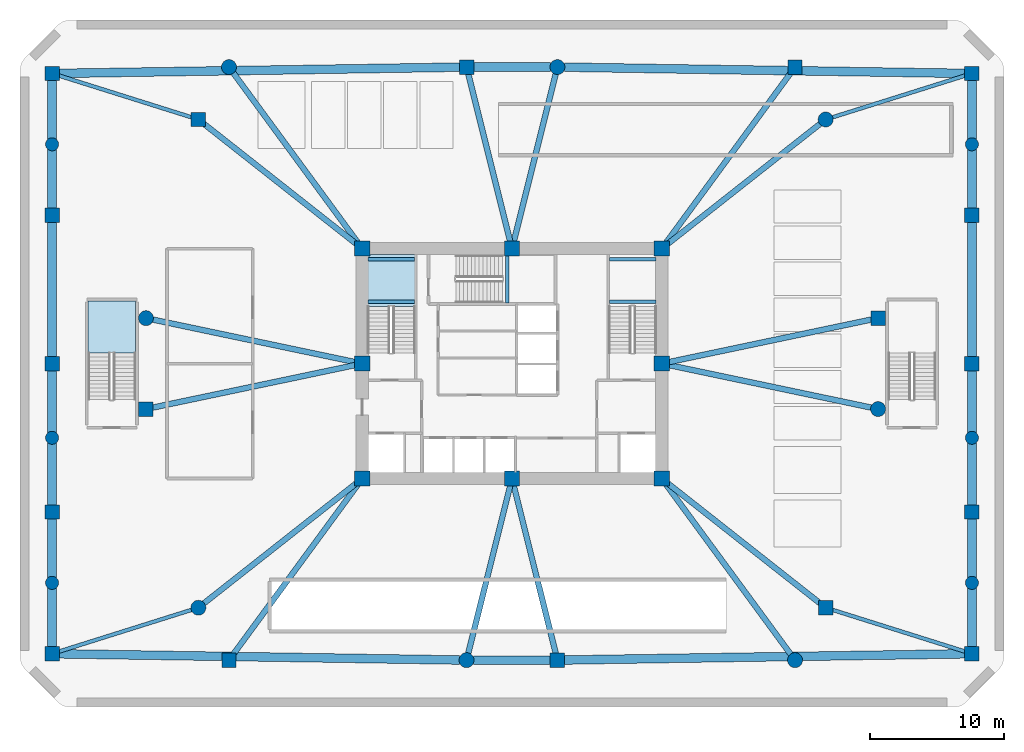
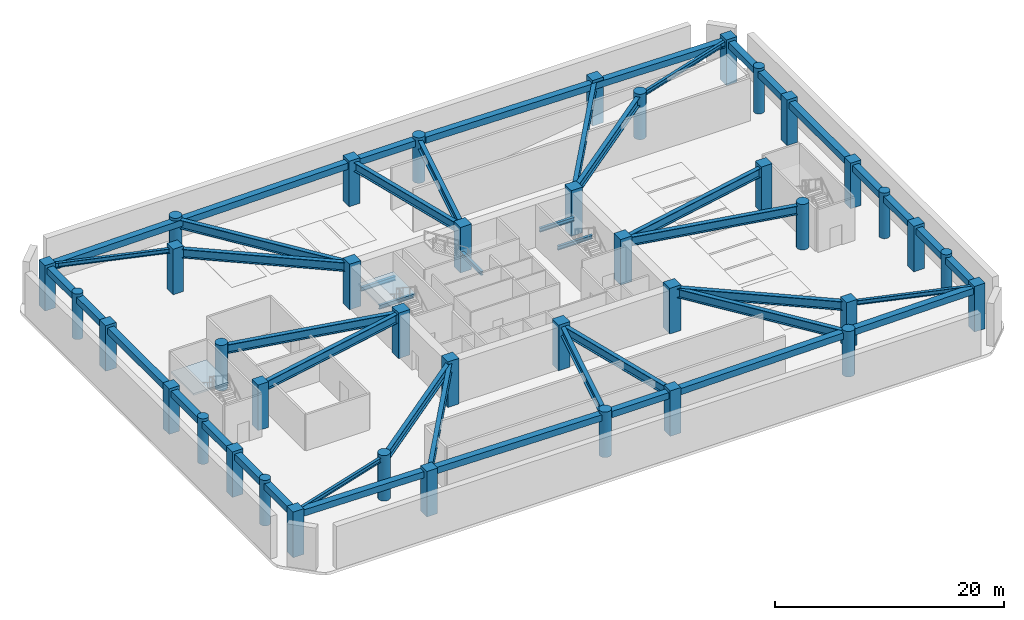
# One storey, part 1 of 8: 40 columns, 39 beams, 2 slabs, 2 elements without a shape of their own.
"""IFC4 building model written with IfcOpenShell, lengths in metres."""

from ifc_helpers import new_model, si_unit, derived_unit, direction, frame, origin, origin_2d, place, context, subcontext, project, spatial, polyline, rectangle, circle, i_section, outline, extrude, material, layer, layer_set, material_profile, profile_set, type_object, element, aggregate, save


model = new_model("IFC4")

# Units and contexts
model_context = context("Model", 3, precision=1e-05, world=origin(), true_north=direction((0.0, 1.0)))
body_context = subcontext(model_context, "Body", "Model", "MODEL_VIEW")
ifc_project = project(units=[si_unit("LENGTHUNIT", "METRE"), si_unit("AREAUNIT", "SQUARE_METRE"), si_unit("VOLUMEUNIT", "CUBIC_METRE"), si_unit("PLANEANGLEUNIT", "RADIAN"), si_unit("MASSUNIT", "GRAM", prefix="KILO"), derived_unit("THERMALTRANSMITTANCEUNIT", [(si_unit("POWERUNIT", "WATT"), 1), (si_unit("LENGTHUNIT", "METRE"), -2), (si_unit("THERMODYNAMICTEMPERATUREUNIT", "KELVIN"), -1)])], contexts=[model_context])

# Site, building, storey
site_placement = place(None, origin())
site = spatial("IfcSite", under=ifc_project, at=site_placement, CompositionType="ELEMENT")
building_placement = place(site_placement, origin())
building = spatial("IfcBuilding", under=site, at=building_placement, Name="Koralith Skygarden Medical Center", CompositionType="ELEMENT")
storey_placement = place(building_placement, frame((0.0, 0.0, -4.860107421875)))
storey = spatial("IfcBuildingStorey", under=building, at=storey_placement, Name="B1", CompositionType="ELEMENT", Elevation=-4.860107421875)

# Columns
ifc_material_1 = material(Name="Concrete C55/67", Category="concrete")
ifc_material_profile_1 = material_profile(ifc_material_1, circle(Radius=0.489990234375, at=origin_2d()), Name="RCCOL980")
ifc_profile_set_1 = profile_set([ifc_material_profile_1], Name="Concrete C55/67")
column_type_1 = type_object("IfcColumnType", Name="Concourse Entrance Pilaster C55 D980", PredefinedType="PILASTER", material=ifc_profile_set_1)
for number, where, z_axis, x_axis, name in (
    (1, (2.60009765625, 9.5, 0.0), (0.0, 0.0, 1.0), (1.0, 0.0, 0.0), "B1 Concourse Entrance Pilaster PL-01"),
    (2, (2.60009765625, 20.35009765625, 0.0), (0.0, 0.0, 1.0), (1.0, 0.0, 0.0), "B1 Concourse Entrance Pilaster PL-02"),
    (3, (2.60009765625, 42.300048828125, 0.0), (0.0, 0.0, 1.0), (1.0, 0.0, 0.0), "B1 Concourse Entrance Pilaster PL-03"),
    (4, (71.39990234375, 9.5, 0.0), (0.0, 0.0, 1.0), (1.0, 0.0, 0.0), "B1 Concourse Entrance Pilaster PL-04"),
    (5, (71.39990234375, 20.35009765625, 0.0), (0.0, 0.0, 1.0), (1.0, 0.0, 0.0), "B1 Concourse Entrance Pilaster PL-05"),
    (6, (71.39990234375, 42.300048828125, 0.0), (0.0, 0.0, 1.0), (1.0, 0.0, 0.0), "B1 Concourse Entrance Pilaster PL-06"),
):
    element("IfcColumn", number, at=place(storey_placement, frame(where, z_axis=z_axis, x_axis=x_axis)), inside=storey, type_object=column_type_1, Name=name, PredefinedType="PILASTER", context=body_context, shape_type="SweptSolid", body=[
        extrude(circle(Radius=0.489990234375, at=origin_2d()), origin(), (0.0, 0.0, 1.0), 4.860107421875),
    ])
ifc_material_2 = material(Name="Concrete C70/85", Category="concrete")
ifc_material_profile_2 = material_profile(ifc_material_2, rectangle(XDim=1.139892578125, YDim=1.139892578125, at=origin_2d()), Name="RC1140X1140")
ifc_profile_set_2 = profile_set([ifc_material_profile_2], Name="Concrete C70/85")
column_type_2 = type_object("IfcColumnType", Name="Core Mega-Column C70 RC1140", PredefinedType="COLUMN", material=ifc_profile_set_2)
for number, where, z_axis, x_axis, name in (
    (7, (25.800048828125, 17.300048828125, 0.0), (0.0, 0.0, 1.0), (1.0, 0.0, 0.0), "B1 Core Column CC-01"),
    (8, (37.0, 17.300048828125, 0.0), (0.0, 0.0, 1.0), (1.0, 0.0, 0.0), "B1 Core Column CC-02"),
    (9, (48.199951171875, 17.300048828125, 0.0), (0.0, 0.0, 1.0), (1.0, 0.0, 0.0), "B1 Core Column CC-03"),
    (10, (48.199951171875, 25.89990234375, 0.0), (0.0, 0.0, 1.0), (1.0, 0.0, 0.0), "B1 Core Column CC-04"),
    (11, (48.199951171875, 34.5, 0.0), (0.0, 0.0, 1.0), (1.0, 0.0, 0.0), "B1 Core Column CC-05"),
    (12, (37.0, 34.5, 0.0), (0.0, 0.0, 1.0), (1.0, 0.0, 0.0), "B1 Core Column CC-06"),
    (13, (25.800048828125, 34.5, 0.0), (0.0, 0.0, 1.0), (1.0, 0.0, 0.0), "B1 Core Column CC-07"),
    (14, (25.800048828125, 25.89990234375, 0.0), (0.0, 0.0, 1.0), (1.0, 0.0, 0.0), "B1 Core Column CC-08"),
):
    element("IfcColumn", number, at=place(storey_placement, frame(where, z_axis=z_axis, x_axis=x_axis)), inside=storey, type_object=column_type_2, Name=name, PredefinedType="COLUMN", context=body_context, shape_type="SweptSolid", body=[
        extrude(rectangle(XDim=1.139892578125, YDim=1.139892578125, at=origin_2d()), origin(), (0.0, 0.0, 1.0), 4.860107421875),
    ])
ifc_material_profile_3 = material_profile(ifc_material_2, rectangle(XDim=1.080078125, YDim=1.080078125, at=origin_2d()), Name="RC1080X1080")
ifc_profile_set_3 = profile_set([ifc_material_profile_3], Name="Concrete C70/85")
column_type_3 = type_object("IfcColumnType", Name="Podium Perimeter Column C70 RC1080", PredefinedType="COLUMN", material=ifc_profile_set_3)
for number, where, z_axis, x_axis, name in (
    (15, (2.60009765625, 4.199951171875, 0.0), (0.0, 0.0, 1.0), (1.0, 0.0, 0.0), "B1 Podium Perimeter Column PC-01"),
    (16, (2.60009765625, 14.800048828125, 0.0), (0.0, 0.0, 1.0), (1.0, 0.0, 0.0), "B1 Podium Perimeter Column PC-02"),
    (17, (2.60009765625, 25.89990234375, 0.0), (0.0, 0.0, 1.0), (1.0, 0.0, 0.0), "B1 Podium Perimeter Column PC-03"),
    (18, (2.60009765625, 37.0, 0.0), (0.0, 0.0, 1.0), (1.0, 0.0, 0.0), "B1 Podium Perimeter Column PC-04"),
    (19, (2.60009765625, 47.60009765625, 0.0), (0.0, 0.0, 1.0), (1.0, 0.0, 0.0), "B1 Podium Perimeter Column PC-05"),
    (20, (71.39990234375, 4.199951171875, 0.0), (0.0, 0.0, 1.0), (1.0, 0.0, 0.0), "B1 Podium Perimeter Column PC-06"),
    (21, (71.39990234375, 14.800048828125, 0.0), (0.0, 0.0, 1.0), (1.0, 0.0, 0.0), "B1 Podium Perimeter Column PC-07"),
    (22, (71.39990234375, 25.89990234375, 0.0), (0.0, 0.0, 1.0), (1.0, 0.0, 0.0), "B1 Podium Perimeter Column PC-08"),
    (23, (71.39990234375, 37.0, 0.0), (0.0, 0.0, 1.0), (1.0, 0.0, 0.0), "B1 Podium Perimeter Column PC-09"),
    (24, (71.39990234375, 47.60009765625, 0.0), (0.0, 0.0, 1.0), (1.0, 0.0, 0.0), "B1 Podium Perimeter Column PC-10"),
):
    element("IfcColumn", number, at=place(storey_placement, frame(where, z_axis=z_axis, x_axis=x_axis)), inside=storey, type_object=column_type_3, Name=name, PredefinedType="COLUMN", context=body_context, shape_type="SweptSolid", body=[
        extrude(rectangle(XDim=1.080078125, YDim=1.080078125, at=origin_2d()), origin(), (0.0, 0.0, 1.0), 4.860107421875),
    ])
ifc_material_profile_4 = material_profile(ifc_material_2, circle(Radius=0.56005859375, at=origin_2d()), Name="RCCOL1120")
ifc_profile_set_4 = profile_set([ifc_material_profile_4], Name="Concrete C70/85")
column_type_4 = type_object("IfcColumnType", Name="Station Round Mega-Column C70 D1120", PredefinedType="COLUMN", material=ifc_profile_set_4)
for number, where, z_axis, x_axis, name in (
    (25, (13.5400390625, 7.639892578125, 0.0), (0.0, 0.0, 1.0), (1.0, 0.0, 0.0), "B1 Tower Base Mega-Column TB-02"),
    (26, (33.60009765625, 3.719970703125, 0.0), (0.0, 0.0, 1.0), (1.0, 0.0, 0.0), "B1 Tower Base Mega-Column TB-04"),
    (27, (58.16796875, 3.719970703125, 0.0), (0.0, 0.0, 1.0), (1.0, 0.0, 0.0), "B1 Tower Base Mega-Column TB-06"),
    (28, (64.3798828125, 22.5, 0.0), (0.0, 0.0, 1.0), (1.0, 0.0, 0.0), "B1 Tower Base Mega-Column TB-08"),
    (29, (60.4599609375, 44.159912109375, 0.0), (0.0, 0.0, 1.0), (1.0, 0.0, 0.0), "B1 Tower Base Mega-Column TB-10"),
    (30, (40.39990234375, 48.080078125, 0.0), (0.0, 0.0, 1.0), (1.0, 0.0, 0.0), "B1 Tower Base Mega-Column TB-12"),
    (31, (15.83203125, 48.080078125, 0.0), (0.0, 0.0, 1.0), (1.0, 0.0, 0.0), "B1 Tower Base Mega-Column TB-14"),
    (32, (9.6201171875, 29.300048828125, 0.0), (0.0, 0.0, 1.0), (1.0, 0.0, 0.0), "B1 Tower Base Mega-Column TB-16"),
):
    element("IfcColumn", number, at=place(storey_placement, frame(where, z_axis=z_axis, x_axis=x_axis)), inside=storey, type_object=column_type_4, Name=name, PredefinedType="COLUMN", context=body_context, shape_type="SweptSolid", body=[
        extrude(circle(Radius=0.56005859375, at=origin_2d()), origin(), (0.0, 0.0, 1.0), 4.860107421875),
    ])
ifc_material_profile_5 = material_profile(ifc_material_2, rectangle(XDim=1.080078125, YDim=1.080078125, at=origin_2d()), Name="RC1080X1080")
ifc_profile_set_5 = profile_set([ifc_material_profile_5], Name="Concrete C70/85")
column_type_5 = type_object("IfcColumnType", Name="Zone 1 Octagonal Mega-Column C70 RC1080", PredefinedType="COLUMN", material=ifc_profile_set_5)
for number, where, z_axis, x_axis, name in (
    (33, (9.6201171875, 22.5, 0.0), (0.0, 0.0, 1.0), (1.0, 0.0, 0.0), "B1 Tower Base Mega-Column TB-01"),
    (34, (15.83203125, 3.719970703125, 0.0), (0.0, 0.0, 1.0), (1.0, 0.0, 0.0), "B1 Tower Base Mega-Column TB-03"),
    (35, (40.39990234375, 3.719970703125, 0.0), (0.0, 0.0, 1.0), (1.0, 0.0, 0.0), "B1 Tower Base Mega-Column TB-05"),
    (36, (60.4599609375, 7.639892578125, 0.0), (0.0, 0.0, 1.0), (1.0, 0.0, 0.0), "B1 Tower Base Mega-Column TB-07"),
    (37, (64.3798828125, 29.300048828125, 0.0), (0.0, 0.0, 1.0), (1.0, 0.0, 0.0), "B1 Tower Base Mega-Column TB-09"),
    (38, (58.16796875, 48.080078125, 0.0), (0.0, 0.0, 1.0), (1.0, 0.0, 0.0), "B1 Tower Base Mega-Column TB-11"),
    (39, (33.60009765625, 48.080078125, 0.0), (0.0, 0.0, 1.0), (1.0, 0.0, 0.0), "B1 Tower Base Mega-Column TB-13"),
    (40, (13.5400390625, 44.159912109375, 0.0), (0.0, 0.0, 1.0), (1.0, 0.0, 0.0), "B1 Tower Base Mega-Column TB-15"),
):
    element("IfcColumn", number, at=place(storey_placement, frame(where, z_axis=z_axis, x_axis=x_axis)), inside=storey, type_object=column_type_5, Name=name, PredefinedType="COLUMN", context=body_context, shape_type="SweptSolid", body=[
        extrude(rectangle(XDim=1.080078125, YDim=1.080078125, at=origin_2d()), origin(), (0.0, 0.0, 1.0), 4.860107421875),
    ])

# Beams
ifc_material_profile_6 = material_profile(ifc_material_1, rectangle(XDim=0.64990234375, YDim=0.679931640625, at=origin_2d()), Name="RCB650X680")
ifc_profile_set_6 = profile_set([ifc_material_profile_6], Name="Concrete C55/67")
beam_type_1 = type_object("IfcBeamType", Name="Basement Spandrel Beam RCB650X680", PredefinedType="SPANDREL", material=ifc_profile_set_6)
beam_1_placement = place(storey_placement, frame((2.60009765625, 14.280029296875, 4.22021484375), z_axis=(0.0, -1.0, 0.0), x_axis=(1.0, 0.0, 0.0)))
element("IfcBeam", 41, at=beam_1_placement, inside=storey, type_object=beam_type_1, Name="B1 Podium Perimeter Beam PB-01", PredefinedType="SPANDREL", context=body_context, shape_type="SweptSolid", body=[
    extrude(rectangle(XDim=0.64990234375, YDim=0.679931640625, at=origin_2d()), origin(), (0.0, 0.0, 1.0), 9.56005859375),
])
beam_2_placement = place(storey_placement, frame((3.1201171875, 4.19189453125, 4.22021484375), z_axis=(0.999880161393, -0.015481048165, 0.0), x_axis=(0.015481048165, 0.999880161393, 0.0)))
element("IfcBeam", 42, at=beam_2_placement, inside=storey, type_object=beam_type_1, Name="B1 Podium Perimeter Beam PB-02", PredefinedType="SPANDREL", context=body_context, shape_type="SweptSolid", body=[
    extrude(rectangle(XDim=0.64990234375, YDim=0.679931640625, at=origin_2d()), origin(), (0.0, 0.0, 1.0), 29.963623046875),
])
beam_3_placement = place(storey_placement, frame((34.1201171875, 3.719970703125, 4.22021484375), z_axis=(1.0, 0.0, 0.0), x_axis=(0.0, 1.0, 0.0)))
element("IfcBeam", 43, at=beam_3_placement, inside=storey, type_object=beam_type_1, Name="B1 Podium Perimeter Beam PB-03", PredefinedType="SPANDREL", context=body_context, shape_type="SweptSolid", body=[
    extrude(rectangle(XDim=0.64990234375, YDim=0.679931640625, at=origin_2d()), origin(), (0.0, 0.0, 1.0), 5.759765625),
])
beam_4_placement = place(storey_placement, frame((40.919921875, 3.72802734375, 4.22021484375), z_axis=(0.999880161393, 0.015481048165, 0.0), x_axis=(-0.015481048165, 0.999880161393, 0.0)))
element("IfcBeam", 44, at=beam_4_placement, inside=storey, type_object=beam_type_1, Name="B1 Podium Perimeter Beam PB-04", PredefinedType="SPANDREL", context=body_context, shape_type="SweptSolid", body=[
    extrude(rectangle(XDim=0.64990234375, YDim=0.679931640625, at=origin_2d()), origin(), (0.0, 0.0, 1.0), 29.963623046875),
])
beam_5_placement = place(storey_placement, frame((71.39990234375, 4.719970703125, 4.22021484375), z_axis=(0.0, 1.0, 0.0), x_axis=(-1.0, 0.0, 0.0)))
element("IfcBeam", 45, at=beam_5_placement, inside=storey, type_object=beam_type_1, Name="B1 Podium Perimeter Beam PB-05", PredefinedType="SPANDREL", context=body_context, shape_type="SweptSolid", body=[
    extrude(rectangle(XDim=0.64990234375, YDim=0.679931640625, at=origin_2d()), origin(), (0.0, 0.0, 1.0), 9.56005859375),
])
beam_6_placement = place(storey_placement, frame((71.39990234375, 15.320068359375, 4.22021484375), z_axis=(0.0, 1.0, 0.0), x_axis=(-1.0, 0.0, 0.0)))
element("IfcBeam", 46, at=beam_6_placement, inside=storey, type_object=beam_type_1, Name="B1 Podium Perimeter Beam PB-06", PredefinedType="SPANDREL", context=body_context, shape_type="SweptSolid", body=[
    extrude(rectangle(XDim=0.64990234375, YDim=0.679931640625, at=origin_2d()), origin(), (0.0, 0.0, 1.0), 10.059814453125),
])
beam_7_placement = place(storey_placement, frame((71.39990234375, 26.419921875, 4.22021484375), z_axis=(0.0, 1.0, 0.0), x_axis=(-1.0, 0.0, 0.0)))
element("IfcBeam", 47, at=beam_7_placement, inside=storey, type_object=beam_type_1, Name="B1 Podium Perimeter Beam PB-07", PredefinedType="SPANDREL", context=body_context, shape_type="SweptSolid", body=[
    extrude(rectangle(XDim=0.64990234375, YDim=0.679931640625, at=origin_2d()), origin(), (0.0, 0.0, 1.0), 10.06005859375),
])
beam_8_placement = place(storey_placement, frame((71.39990234375, 37.52001953125, 4.22021484375), z_axis=(0.0, 1.0, 0.0), x_axis=(-1.0, 0.0, 0.0)))
element("IfcBeam", 48, at=beam_8_placement, inside=storey, type_object=beam_type_1, Name="B1 Podium Perimeter Beam PB-08", PredefinedType="SPANDREL", context=body_context, shape_type="SweptSolid", body=[
    extrude(rectangle(XDim=0.64990234375, YDim=0.679931640625, at=origin_2d()), origin(), (0.0, 0.0, 1.0), 9.56005859375),
])
beam_9_placement = place(storey_placement, frame((70.8798828125, 47.60791015625, 4.22021484375), z_axis=(-0.999880035237, 0.015489194131, 0.0), x_axis=(-0.015489194131, -0.999880035237, 0.0)))
element("IfcBeam", 49, at=beam_9_placement, inside=storey, type_object=beam_type_1, Name="B1 Podium Perimeter Beam PB-09", PredefinedType="SPANDREL", context=body_context, shape_type="SweptSolid", body=[
    extrude(rectangle(XDim=0.64990234375, YDim=0.679931640625, at=origin_2d()), origin(), (0.0, 0.0, 1.0), 29.963623046875),
])
beam_10_placement = place(storey_placement, frame((39.8798828125, 48.080078125, 4.22021484375), z_axis=(-1.0, 0.0, 0.0), x_axis=(0.0, -1.0, 0.0)))
element("IfcBeam", 50, at=beam_10_placement, inside=storey, type_object=beam_type_1, Name="B1 Podium Perimeter Beam PB-10", PredefinedType="SPANDREL", context=body_context, shape_type="SweptSolid", body=[
    extrude(rectangle(XDim=0.64990234375, YDim=0.679931640625, at=origin_2d()), origin(), (0.0, 0.0, 1.0), 5.759765625),
])
beam_11_placement = place(storey_placement, frame((33.080078125, 48.072021484375, 4.22021484375), z_axis=(-0.999880035237, -0.015489194131, 0.0), x_axis=(0.015489194131, -0.999880035237, 0.0)))
element("IfcBeam", 51, at=beam_11_placement, inside=storey, type_object=beam_type_1, Name="B1 Podium Perimeter Beam PB-11", PredefinedType="SPANDREL", context=body_context, shape_type="SweptSolid", body=[
    extrude(rectangle(XDim=0.64990234375, YDim=0.679931640625, at=origin_2d()), origin(), (0.0, 0.0, 1.0), 29.963623046875),
])
beam_12_placement = place(storey_placement, frame((2.60009765625, 47.080078125, 4.22021484375), z_axis=(0.0, -1.0, 0.0), x_axis=(1.0, 0.0, 0.0)))
element("IfcBeam", 52, at=beam_12_placement, inside=storey, type_object=beam_type_1, Name="B1 Podium Perimeter Beam PB-12", PredefinedType="SPANDREL", context=body_context, shape_type="SweptSolid", body=[
    extrude(rectangle(XDim=0.64990234375, YDim=0.679931640625, at=origin_2d()), origin(), (0.0, 0.0, 1.0), 9.56005859375),
])
beam_13_placement = place(storey_placement, frame((2.60009765625, 36.47998046875, 4.22021484375), z_axis=(0.0, -1.0, 0.0), x_axis=(1.0, 0.0, 0.0)))
element("IfcBeam", 53, at=beam_13_placement, inside=storey, type_object=beam_type_1, Name="B1 Podium Perimeter Beam PB-13", PredefinedType="SPANDREL", context=body_context, shape_type="SweptSolid", body=[
    extrude(rectangle(XDim=0.64990234375, YDim=0.679931640625, at=origin_2d()), origin(), (0.0, 0.0, 1.0), 10.06005859375),
])
beam_14_placement = place(storey_placement, frame((2.60009765625, 25.3798828125, 4.22021484375), z_axis=(0.0, -1.0, 0.0), x_axis=(1.0, 0.0, 0.0)))
element("IfcBeam", 54, at=beam_14_placement, inside=storey, type_object=beam_type_1, Name="B1 Podium Perimeter Beam PB-14", PredefinedType="SPANDREL", context=body_context, shape_type="SweptSolid", body=[
    extrude(rectangle(XDim=0.64990234375, YDim=0.679931640625, at=origin_2d()), origin(), (0.0, 0.0, 1.0), 10.059814453125),
])
ifc_material_3 = material(Name="Steel ASTM A992 Grade 50", Category="steel")
ifc_material_profile_7 = material_profile(ifc_material_3, i_section(OverallWidth=0.260009765625, OverallDepth=0.4150390625, WebThickness=0.010009765625, FlangeThickness=0.016845703125, at=origin_2d()), Name="W16X67")
ifc_profile_set_7 = profile_set([ifc_material_profile_7], Name="Steel ASTM A992 Grade 50")
beam_type_2 = type_object("IfcBeamType", Name="Clinical Floor Joist W16X67", PredefinedType="JOIST", material=ifc_profile_set_7)
for number, where, z_axis, x_axis, name in (
    (55, (26.22998046875, 30.530029296875, 2.022216796875), (1.0, 0.0, 0.0), (0.0, 1.0, 0.0), "B1 Stair ST1 Half-Landing Support Beam 1A"),
    (56, (26.22998046875, 33.699951171875, 2.022216796875), (1.0, 0.0, 0.0), (0.0, 1.0, 0.0), "B1 Stair ST1 Half-Landing Support Beam 1B"),
    (57, (44.280029296875, 30.530029296875, 2.022216796875), (1.0, 0.0, 0.0), (0.0, 1.0, 0.0), "B1 Stair ST2 Half-Landing Support Beam 1A"),
    (58, (44.280029296875, 33.699951171875, 2.022216796875), (1.0, 0.0, 0.0), (0.0, 1.0, 0.0), "B1 Stair ST2 Half-Landing Support Beam 1B"),
):
    element("IfcBeam", number, at=place(storey_placement, frame(where, z_axis=z_axis, x_axis=x_axis)), inside=storey, type_object=beam_type_2, Name=name, PredefinedType="JOIST", context=body_context, shape_type="SweptSolid", body=[
        extrude(i_section(OverallWidth=0.260009765625, OverallDepth=0.4150390625, WebThickness=0.010009765625, FlangeThickness=0.016845703125, at=origin_2d()), origin(), (0.0, 0.0, 1.0), 3.489990234375),
    ])
beam_15_placement = place(storey_placement, frame((36.6298828125, 30.43994140625, 2.022216796875), z_axis=(0.0, 1.0, 0.0), x_axis=(-1.0, 0.0, 0.0)))
element("IfcBeam", 59, at=beam_15_placement, inside=storey, type_object=beam_type_2, Name="B1 Stair ST3 Half-Landing Support Beam 1A", PredefinedType="JOIST", context=body_context, shape_type="SweptSolid", body=[
    extrude(i_section(OverallWidth=0.260009765625, OverallDepth=0.4150390625, WebThickness=0.010009765625, FlangeThickness=0.016845703125, at=origin_2d()), origin(), (0.0, 0.0, 1.0), 3.630126953125),
])
ifc_material_profile_8 = material_profile(ifc_material_3, i_section(OverallWidth=0.423095703125, OverallDepth=0.947998046875, WebThickness=0.02392578125, FlangeThickness=0.042724609375, at=origin_2d()), Name="W36X302")
ifc_profile_set_8 = profile_set([ifc_material_profile_8], Name="Steel ASTM A992 Grade 50")
beam_type_3 = type_object("IfcBeamType", Name="Podium Concourse Girder W36X302", PredefinedType="BEAM", material=ifc_profile_set_8)
beam_16_placement = place(storey_placement, frame((25.251953125, 25.784912109375, 4.086181640625), z_axis=(-0.978625652149, -0.205649782288, 0.0), x_axis=(0.205649782288, -0.978625652149, 0.0)))
element("IfcBeam", 60, at=beam_16_placement, inside=storey, type_object=beam_type_3, Name="B1 Podium Radial Girder PRG-01", PredefinedType="BEAM", context=body_context, shape_type="SweptSolid", body=[
    extrude(i_section(OverallWidth=0.423095703125, OverallDepth=0.947998046875, WebThickness=0.02392578125, FlangeThickness=0.042724609375, at=origin_2d()), origin(), (0.0, 0.0, 1.0), 15.453369140625),
])
beam_17_placement = place(storey_placement, frame((25.360107421875, 16.952880859375, 4.086181640625), z_axis=(-0.785504791859, -0.618855574401, 0.0), x_axis=(0.618855574401, -0.785504791859, 0.0)))
element("IfcBeam", 61, at=beam_17_placement, inside=storey, type_object=beam_type_3, Name="B1 Podium Radial Girder PRG-02", PredefinedType="BEAM", context=body_context, shape_type="SweptSolid", body=[
    extrude(i_section(OverallWidth=0.423095703125, OverallDepth=0.947998046875, WebThickness=0.02392578125, FlangeThickness=0.042724609375, at=origin_2d()), origin(), (0.0, 0.0, 1.0), 14.5283203125),
])
beam_18_placement = place(storey_placement, frame((25.468994140625, 16.84912109375, 4.086181640625), z_axis=(-0.59170530555, -0.806154347122, 0.0), x_axis=(0.806154347122, -0.59170530555, 0.0)))
element("IfcBeam", 62, at=beam_18_placement, inside=storey, type_object=beam_type_3, Name="B1 Podium Radial Girder PRG-03", PredefinedType="BEAM", context=body_context, shape_type="SweptSolid", body=[
    extrude(i_section(OverallWidth=0.423095703125, OverallDepth=0.947998046875, WebThickness=0.02392578125, FlangeThickness=0.042724609375, at=origin_2d()), origin(), (0.0, 0.0, 1.0), 15.766357421875),
])
for number, where, z_axis, x_axis, name in (
    (63, (36.864013671875, 16.757080078125, 4.086181640625), (-0.242877971824, -0.970056849263, 0.0), (0.970056849263, -0.242877971824, 0.0), "B1 Podium Radial Girder PRG-04"),
    (64, (37.135986328125, 16.757080078125, 4.086181640625), (0.242877971824, -0.970056849263, 0.0), (0.970056849263, 0.242877971824, 0.0), "B1 Podium Radial Girder PRG-05"),
):
    element("IfcBeam", number, at=place(storey_placement, frame(where, z_axis=z_axis, x_axis=x_axis)), inside=storey, type_object=beam_type_3, Name=name, PredefinedType="BEAM", context=body_context, shape_type="SweptSolid", body=[
        extrude(i_section(OverallWidth=0.423095703125, OverallDepth=0.947998046875, WebThickness=0.02392578125, FlangeThickness=0.042724609375, at=origin_2d()), origin(), (0.0, 0.0, 1.0), 12.919921875),
    ])
beam_19_placement = place(storey_placement, frame((48.531005859375, 16.84912109375, 4.086181640625), z_axis=(0.59170530555, -0.806154347122, 0.0), x_axis=(0.806154347122, 0.59170530555, 0.0)))
element("IfcBeam", 65, at=beam_19_placement, inside=storey, type_object=beam_type_3, Name="B1 Podium Radial Girder PRG-06", PredefinedType="BEAM", context=body_context, shape_type="SweptSolid", body=[
    extrude(i_section(OverallWidth=0.423095703125, OverallDepth=0.947998046875, WebThickness=0.02392578125, FlangeThickness=0.042724609375, at=origin_2d()), origin(), (0.0, 0.0, 1.0), 15.766357421875),
])
beam_20_placement = place(storey_placement, frame((48.639892578125, 16.952880859375, 4.086181640625), z_axis=(0.785504791859, -0.618855574401, 0.0), x_axis=(0.618855574401, 0.785504791859, 0.0)))
element("IfcBeam", 66, at=beam_20_placement, inside=storey, type_object=beam_type_3, Name="B1 Podium Radial Girder PRG-07", PredefinedType="BEAM", context=body_context, shape_type="SweptSolid", body=[
    extrude(i_section(OverallWidth=0.423095703125, OverallDepth=0.947998046875, WebThickness=0.02392578125, FlangeThickness=0.042724609375, at=origin_2d()), origin(), (0.0, 0.0, 1.0), 14.5283203125),
])
for number, where, z_axis, x_axis, name in (
    (67, (48.748046875, 25.784912109375, 4.086181640625), (0.978625652149, -0.205649782288, 0.0), (0.205649782288, 0.978625652149, 0.0), "B1 Podium Radial Girder PRG-08"),
    (68, (48.748046875, 26.014892578125, 4.086181640625), (0.978622472518, 0.205664912619, 0.0), (-0.205664912619, 0.978622472518, 0.0), "B1 Podium Radial Girder PRG-09"),
):
    element("IfcBeam", number, at=place(storey_placement, frame(where, z_axis=z_axis, x_axis=x_axis)), inside=storey, type_object=beam_type_3, Name=name, PredefinedType="BEAM", context=body_context, shape_type="SweptSolid", body=[
        extrude(i_section(OverallWidth=0.423095703125, OverallDepth=0.947998046875, WebThickness=0.02392578125, FlangeThickness=0.042724609375, at=origin_2d()), origin(), (0.0, 0.0, 1.0), 15.453369140625),
    ])
beam_21_placement = place(storey_placement, frame((48.639892578125, 34.846923828125, 4.086181640625), z_axis=(0.785504791859, 0.618855574401, 0.0), x_axis=(-0.618855574401, 0.785504791859, 0.0)))
element("IfcBeam", 69, at=beam_21_placement, inside=storey, type_object=beam_type_3, Name="B1 Podium Radial Girder PRG-10", PredefinedType="BEAM", context=body_context, shape_type="SweptSolid", body=[
    extrude(i_section(OverallWidth=0.423095703125, OverallDepth=0.947998046875, WebThickness=0.02392578125, FlangeThickness=0.042724609375, at=origin_2d()), origin(), (0.0, 0.0, 1.0), 14.5283203125),
])
beam_22_placement = place(storey_placement, frame((48.531005859375, 34.950927734375, 4.086181640625), z_axis=(0.591712691958, 0.806148925556, 0.0), x_axis=(-0.806148925556, 0.591712691958, 0.0)))
element("IfcBeam", 70, at=beam_22_placement, inside=storey, type_object=beam_type_3, Name="B1 Podium Radial Girder PRG-11", PredefinedType="BEAM", context=body_context, shape_type="SweptSolid", body=[
    extrude(i_section(OverallWidth=0.423095703125, OverallDepth=0.947998046875, WebThickness=0.02392578125, FlangeThickness=0.042724609375, at=origin_2d()), origin(), (0.0, 0.0, 1.0), 15.766357421875),
])
for number, where, z_axis, x_axis, name in (
    (71, (37.135986328125, 35.04296875, 4.086181640625), (0.242877971824, 0.970056849263, 0.0), (-0.970056849263, 0.242877971824, 0.0), "B1 Podium Radial Girder PRG-12"),
    (72, (36.864013671875, 35.04296875, 4.086181640625), (-0.242877971824, 0.970056849263, 0.0), (-0.970056849263, -0.242877971824, 0.0), "B1 Podium Radial Girder PRG-13"),
):
    element("IfcBeam", number, at=place(storey_placement, frame(where, z_axis=z_axis, x_axis=x_axis)), inside=storey, type_object=beam_type_3, Name=name, PredefinedType="BEAM", context=body_context, shape_type="SweptSolid", body=[
        extrude(i_section(OverallWidth=0.423095703125, OverallDepth=0.947998046875, WebThickness=0.02392578125, FlangeThickness=0.042724609375, at=origin_2d()), origin(), (0.0, 0.0, 1.0), 12.919921875),
    ])
beam_23_placement = place(storey_placement, frame((25.468994140625, 34.950927734375, 4.086181640625), z_axis=(-0.591712691958, 0.806148925556, 0.0), x_axis=(-0.806148925556, -0.591712691958, 0.0)))
element("IfcBeam", 73, at=beam_23_placement, inside=storey, type_object=beam_type_3, Name="B1 Podium Radial Girder PRG-14", PredefinedType="BEAM", context=body_context, shape_type="SweptSolid", body=[
    extrude(i_section(OverallWidth=0.423095703125, OverallDepth=0.947998046875, WebThickness=0.02392578125, FlangeThickness=0.042724609375, at=origin_2d()), origin(), (0.0, 0.0, 1.0), 15.766357421875),
])
beam_24_placement = place(storey_placement, frame((25.360107421875, 34.846923828125, 4.086181640625), z_axis=(-0.785504791859, 0.618855574401, 0.0), x_axis=(-0.618855574401, -0.785504791859, 0.0)))
element("IfcBeam", 74, at=beam_24_placement, inside=storey, type_object=beam_type_3, Name="B1 Podium Radial Girder PRG-15", PredefinedType="BEAM", context=body_context, shape_type="SweptSolid", body=[
    extrude(i_section(OverallWidth=0.423095703125, OverallDepth=0.947998046875, WebThickness=0.02392578125, FlangeThickness=0.042724609375, at=origin_2d()), origin(), (0.0, 0.0, 1.0), 14.5283203125),
])
beam_25_placement = place(storey_placement, frame((25.251953125, 26.014892578125, 4.086181640625), z_axis=(-0.978622472518, 0.205664912619, 0.0), x_axis=(-0.205664912619, -0.978622472518, 0.0)))
element("IfcBeam", 75, at=beam_25_placement, inside=storey, type_object=beam_type_3, Name="B1 Podium Radial Girder PRG-16", PredefinedType="BEAM", context=body_context, shape_type="SweptSolid", body=[
    extrude(i_section(OverallWidth=0.423095703125, OverallDepth=0.947998046875, WebThickness=0.02392578125, FlangeThickness=0.042724609375, at=origin_2d()), origin(), (0.0, 0.0, 1.0), 15.453369140625),
])
ifc_material_profile_9 = material_profile(ifc_material_3, i_section(OverallWidth=0.281982421875, OverallDepth=0.467041015625, WebThickness=0.01220703125, FlangeThickness=0.01953125, at=origin_2d()), Name="W18X86")
ifc_profile_set_9 = profile_set([ifc_material_profile_9], Name="Steel ASTM A992 Grade 50")
beam_type_4 = type_object("IfcBeamType", Name="Podium Floor Joist W18X86", PredefinedType="JOIST", material=ifc_profile_set_9)
for number, where, z_axis, x_axis, name in (
    (76, (13.0439453125, 7.48388671875, 4.3271484375), (-0.953954869198, -0.299950175084, 0.0), (0.299950175084, -0.953954869198, 0.0), "B1 Podium Floor Joist PJ-01"),
    (77, (13.0439453125, 44.31591796875, 4.3271484375), (-0.95394817002, 0.29997148017, 0.0), (-0.29997148017, -0.95394817002, 0.0), "B1 Podium Floor Joist PJ-02"),
    (78, (60.9560546875, 7.48388671875, 4.3271484375), (0.953954869198, -0.299950175084, 0.0), (0.299950175084, 0.953954869198, 0.0), "B1 Podium Floor Joist PJ-03"),
    (79, (60.9560546875, 44.31591796875, 4.3271484375), (0.95394817002, 0.29997148017, 0.0), (-0.29997148017, 0.95394817002, 0.0), "B1 Podium Floor Joist PJ-04"),
):
    element("IfcBeam", number, at=place(storey_placement, frame(where, z_axis=z_axis, x_axis=x_axis)), inside=storey, type_object=beam_type_4, Name=name, PredefinedType="JOIST", context=body_context, shape_type="SweptSolid", body=[
        extrude(i_section(OverallWidth=0.281982421875, OverallDepth=0.467041015625, WebThickness=0.01220703125, FlangeThickness=0.01953125, at=origin_2d()), origin(), (0.0, 0.0, 1.0), 10.42822265625),
    ])

# Stair, slab
ifc_material_4 = material(Name="Concrete C45/55", Category="concrete")
stair_type = type_object("IfcStairType", Name="Core Exit Dogleg Concrete Stair", PredefinedType="HALF_TURN_STAIR", material=ifc_material_4)
stair_1_placement = place(storey_placement, origin())
stair_1 = element("IfcStair", 80, at=stair_1_placement, inside=storey, type_object=stair_type, Name="B1 Smokeproof Exit Stair ST1", PredefinedType="HALF_TURN_STAIR")
ifc_layer = layer(ifc_material_4, 0.199951171875)
ifc_layer_set = layer_set([ifc_layer], Name="Concrete C45/55")
slab_type = type_object("IfcSlabType", Name="Core Exit Concrete Stair Landing 200", PredefinedType="LANDING", material=ifc_layer_set)
slab_1_placement = place(storey_placement, frame((0.0, 0.0, 2.230224609375)))
slab_1 = element("IfcSlab", 81, at=slab_1_placement, type_object=slab_type, Name="ST1 landing 1", PredefinedType="LANDING", context=body_context, shape_type="SweptSolid", body=[
    extrude(outline(polyline([(29.75, 30.179931640625), (29.75, 34.050048828125), (26.199951171875, 34.050048828125), (26.199951171875, 30.179931640625), (29.75, 30.179931640625)])), origin(), (0.0, 0.0, 1.0), 0.199951171875),
])
aggregate(stair_1, [slab_1])

stair_2_placement = place(storey_placement, origin())
stair_2 = element("IfcStair", 82, at=stair_2_placement, inside=storey, type_object=stair_type, Name="B1 Podium Smokeproof Exit Stair ST4", PredefinedType="HALF_TURN_STAIR")
slab_2_placement = place(storey_placement, frame((0.0, 0.0, 2.230224609375)))
slab_2 = element("IfcSlab", 83, at=slab_2_placement, type_object=slab_type, Name="ST4 landing 1", PredefinedType="LANDING", context=body_context, shape_type="SweptSolid", body=[
    extrude(outline(polyline([(8.85009765625, 26.679931640625), (8.85009765625, 30.60009765625), (5.300048828125, 30.60009765625), (5.300048828125, 26.679931640625), (8.85009765625, 26.679931640625)])), origin(), (0.0, 0.0, 1.0), 0.199951171875),
])
aggregate(stair_2, [slab_2])

save(model, "model.ifc")
